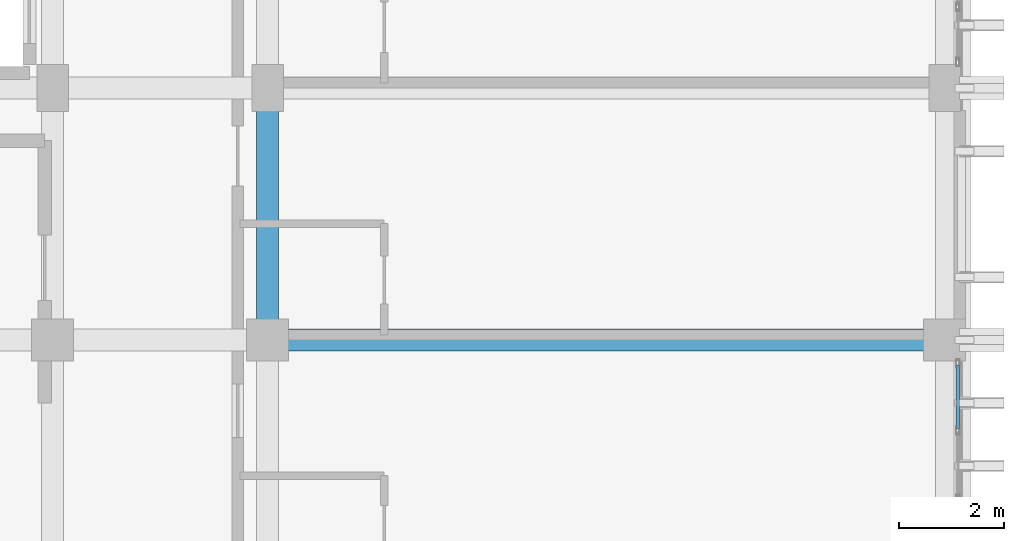
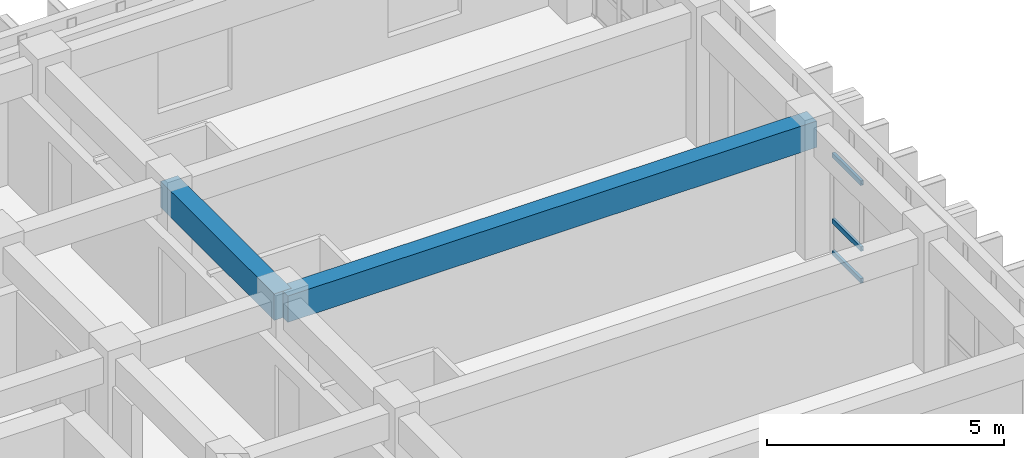
# One storey, part 51 of 82: 3 members, 2 beams, 1 element without a shape of its own.
"""IFC4 building model written with IfcOpenShell, lengths in metres."""

from ifc_helpers import new_model, si_unit, direction, frame, origin, origin_2d, place, context, subcontext, project, spatial, rectangle, hollow_rectangle, extrude, material, layer, layer_set, material_profile, profile_set, type_object, element, aggregate, save


model = new_model("IFC4")

# Units and contexts
model_context = context("Model", 3, precision=1e-05, world=origin(), true_north=direction((0.0, 1.0)))
body_context = subcontext(model_context, "Body", "Model", "MODEL_VIEW")
ifc_project = project(units=[si_unit("LENGTHUNIT", "METRE"), si_unit("AREAUNIT", "SQUARE_METRE"), si_unit("VOLUMEUNIT", "CUBIC_METRE"), si_unit("PLANEANGLEUNIT", "RADIAN"), si_unit("MASSUNIT", "GRAM", prefix="KILO")], contexts=[model_context])

# Site, building, storey
site_placement = place(None, origin())
site = spatial("IfcSite", under=ifc_project, at=site_placement, CompositionType="ELEMENT")
building_placement = place(site_placement, origin())
building = spatial("IfcBuilding", under=site, at=building_placement, Name="Nakhvara Creek Congress Hotel", CompositionType="ELEMENT")
storey_placement = place(building_placement, frame((0.0, 0.0, 21.0)))
storey = spatial("IfcBuildingStorey", under=building, at=storey_placement, Name="L04", CompositionType="ELEMENT", Elevation=21.0)

# Beams
ifc_material_1 = material(Name="Concrete C40/50", Category="concrete")
ifc_material_profile_1 = material_profile(ifc_material_1, rectangle(XDim=0.419921875, YDim=0.679931640625, at=origin_2d()), Name="RC-BM 420x680", Category="LoadBearing")
ifc_profile_set_1 = profile_set([ifc_material_profile_1], Name="Concrete C40/50")
beam_type = type_object("IfcBeamType", Name="BM-RC-420X680", PredefinedType="BEAM", material=ifc_profile_set_1)
beam_1_placement = place(storey_placement, frame((166.449951171875, 115.199951171875, 3.0), z_axis=(1.0, 0.0, 0.0), x_axis=(0.0, 1.0, 0.0)))
element("IfcBeam", 1, at=beam_1_placement, inside=storey, type_object=beam_type, Name="Beam B11-L04-2002", PredefinedType="BEAM", context=body_context, shape_type="SweptSolid", body=[
    extrude(rectangle(XDim=0.419921875, YDim=0.679931640625, at=origin_2d()), origin(), (0.0, 0.0, 1.0), 12.900146484375),
])
beam_2_placement = place(storey_placement, frame((166.449951171875, 115.199951171875, 3.0), z_axis=(0.0, 1.0, 0.0), x_axis=(-1.0, 0.0, 0.0)))
element("IfcBeam", 2, at=beam_2_placement, inside=storey, type_object=beam_type, Name="Beam B11-L04-2004", PredefinedType="BEAM", context=body_context, shape_type="SweptSolid", body=[
    extrude(rectangle(XDim=0.419921875, YDim=0.679931640625, at=origin_2d()), origin(), (0.0, 0.0, 1.0), 4.800048828125),
])

# Curtain wall, members
ifc_material_2 = material(Name="Bronze-anodised aluminium AW-6063-T6 and double-silver low-E glass", Category="aluminium")
ifc_layer = layer(ifc_material_2, 0.199951171875)
ifc_layer_set = layer_set([ifc_layer], Name="Bronze-anodised aluminium AW-6063-T6 and double-silver low-E glass")
curtain_wall_type = type_object("IfcCurtainWallType", Name="CW-HTL-UNIT", PredefinedType="USERDEFINED", material=ifc_layer_set)
curtain_wall_placement = place(storey_placement, origin())
curtain_wall = element("IfcCurtainWall", 3, at=curtain_wall_placement, inside=storey, type_object=curtain_wall_type, Name="Curtain Wall CW198", ObjectType="UNITISED", PredefinedType="USERDEFINED")
ifc_material_3 = material(Name="Bronze-anodised aluminium AW-6063-T6", Category="aluminium")
ifc_material_profile_2 = material_profile(ifc_material_3, hollow_rectangle(XDim=0.06494140625, YDim=0.1201171875, WallThickness=0.00390625, at=origin_2d()), Name="ALU-TRAN 65x120x4", Category="LoadBearing")
ifc_profile_set_2 = profile_set([ifc_material_profile_2], Name="Bronze-anodised aluminium AW-6063-T6")
member_type = type_object("IfcMemberType", Name="CW-TRAN-120", PredefinedType="USERDEFINED", material=ifc_profile_set_2)
member_1_placement = place(storey_placement, frame((179.60009765625, 114.719970703125, 0.032470703125), z_axis=(0.0, -1.0, 0.0), x_axis=(1.0, 0.0, 0.0)))
member_1 = element("IfcMember", 4, at=member_1_placement, type_object=member_type, Name="CW198 transom 1.1", ObjectType="TRANSOM", PredefinedType="USERDEFINED", context=body_context, shape_type="SweptSolid", body=[
    extrude(hollow_rectangle(XDim=0.06494140625, YDim=0.1201171875, WallThickness=0.00390625, at=origin_2d()), origin(), (0.0, 0.0, 1.0), 1.209228515625),
])
member_2_placement = place(storey_placement, frame((179.60009765625, 114.719970703125, 0.85009765625), z_axis=(0.0, -1.0, 0.0), x_axis=(1.0, 0.0, 0.0)))
member_2 = element("IfcMember", 5, at=member_2_placement, type_object=member_type, Name="CW198 transom 1.2", ObjectType="TRANSOM", PredefinedType="USERDEFINED", context=body_context, shape_type="SweptSolid", body=[
    extrude(hollow_rectangle(XDim=0.06494140625, YDim=0.1201171875, WallThickness=0.00390625, at=origin_2d()), origin(), (0.0, 0.0, 1.0), 1.209228515625),
])
member_3_placement = place(storey_placement, frame((179.60009765625, 114.719970703125, 2.549560546875), z_axis=(0.0, -1.0, 0.0), x_axis=(1.0, 0.0, 0.0)))
member_3 = element("IfcMember", 6, at=member_3_placement, type_object=member_type, Name="CW198 transom 1.3", ObjectType="TRANSOM", PredefinedType="USERDEFINED", context=body_context, shape_type="SweptSolid", body=[
    extrude(hollow_rectangle(XDim=0.06494140625, YDim=0.1201171875, WallThickness=0.00390625, at=origin_2d()), origin(), (0.0, 0.0, 1.0), 1.209228515625),
])
aggregate(curtain_wall, [member_1, member_2, member_3])

save(model, "model.ifc")
